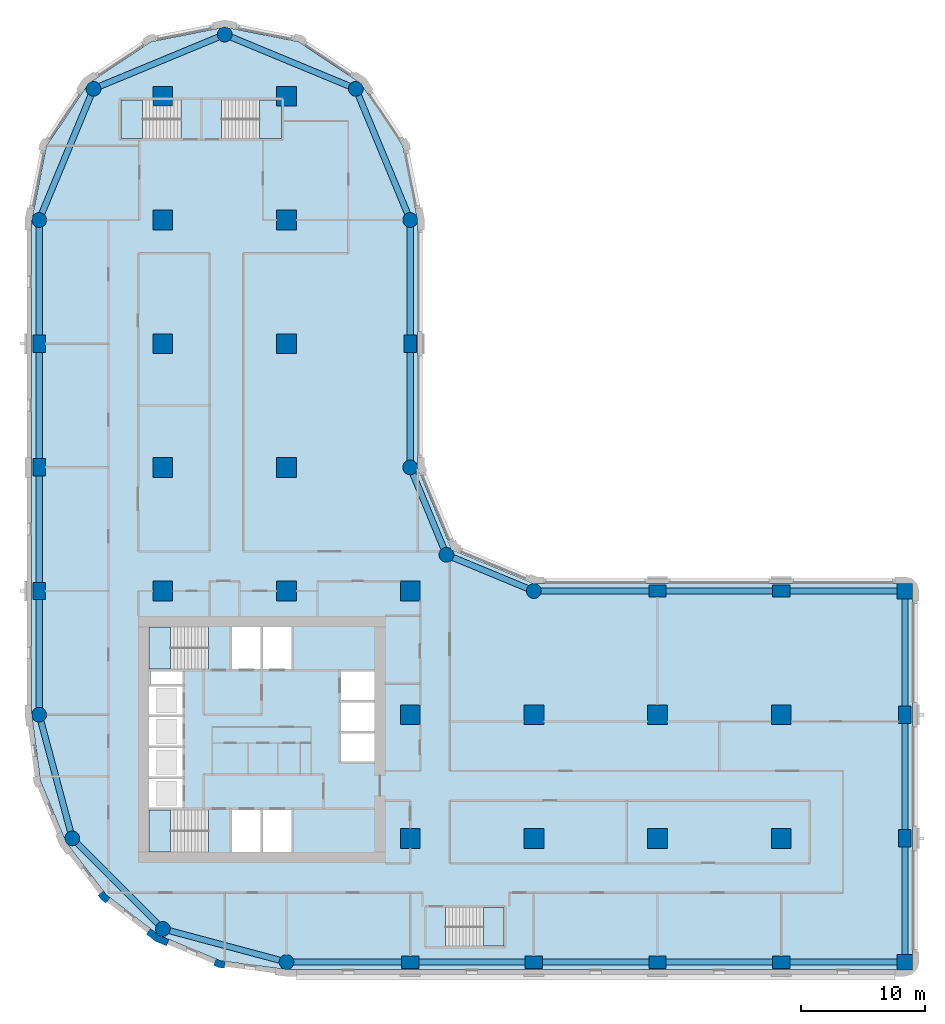
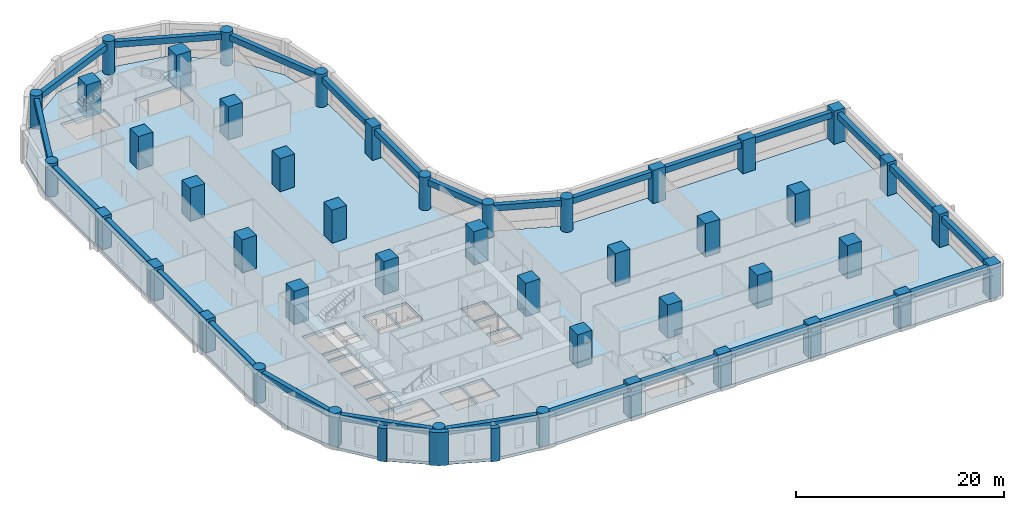
# One storey, part 1 of 11: 45 columns, 26 beams, 6 slabs, 3 walls, 5 elements without a shape of their own.
"""IFC4 building model written with IfcOpenShell, lengths in metres."""

from ifc_helpers import new_model, si_unit, direction, frame, origin, origin_2d, place, context, subcontext, project, spatial, polyline, rectangle, circle, outline, extrude, material, layer, layer_set, material_profile, profile_set, type_object, element, aggregate, save


model = new_model("IFC4")

# Units and contexts
model_context = context("Model", 3, precision=1e-05, world=origin(), true_north=direction((0.0, 1.0)))
body_context = subcontext(model_context, "Body", "Model", "MODEL_VIEW")
ifc_project = project(units=[si_unit("LENGTHUNIT", "METRE"), si_unit("AREAUNIT", "SQUARE_METRE"), si_unit("VOLUMEUNIT", "CUBIC_METRE"), si_unit("PLANEANGLEUNIT", "RADIAN"), si_unit("MASSUNIT", "GRAM", prefix="KILO")], contexts=[model_context])

# Site, building, storey
site_placement = place(None, origin())
site = spatial("IfcSite", under=ifc_project, at=site_placement, CompositionType="ELEMENT")
building_placement = place(site_placement, origin())
building = spatial("IfcBuilding", under=site, at=building_placement, Name="Qaws Garden Tower", CompositionType="ELEMENT")
storey_placement = place(building_placement, frame((0.0, 0.0, 31.5)))
storey = spatial("IfcBuildingStorey", under=building, at=storey_placement, Name="L07", CompositionType="ELEMENT", Elevation=31.5)

# Columns
ifc_material_1 = material(Name="Concrete C80", Category="concrete")
ifc_material_profile_1 = material_profile(ifc_material_1, rectangle(XDim=1.25, YDim=1.25, at=origin_2d()), Name="RC 1250x1250")
ifc_profile_set_1 = profile_set([ifc_material_profile_1], Name="Concrete C80")
column_type_1 = type_object("IfcColumnType", Name="Column RC 1250x1250 C80", PredefinedType="COLUMN", material=ifc_profile_set_1)
for number, where, z_axis, x_axis, name in (
    (1, (70.0, 0.0, 0.0), (0.0, 0.0, 1.0), (1.0, 0.0, 0.0), "Column L07-006"),
    (2, (70.0, 30.0, 0.0), (0.0, 0.0, 1.0), (1.0, 0.0, 0.0), "Column L07-009"),
):
    element("IfcColumn", number, at=place(storey_placement, frame(where, z_axis=z_axis, x_axis=x_axis)), inside=storey, type_object=column_type_1, Name=name, PredefinedType="COLUMN", context=body_context, shape_type="SweptSolid", body=[
        extrude(rectangle(XDim=1.25, YDim=1.25, at=origin_2d()), origin(), (0.0, 0.0, 1.0), 3.89990234375),
    ])
ifc_material_2 = material(Name="Concrete C80", Category="concrete")
ifc_material_profile_2 = material_profile(ifc_material_2, rectangle(XDim=1.39990234375, YDim=1.0, at=origin_2d()), Name="RC 1400x1000")
ifc_profile_set_2 = profile_set([ifc_material_profile_2], Name="Concrete C80")
column_type_2 = type_object("IfcColumnType", Name="Column RC 1400x1000 C80", PredefinedType="COLUMN", material=ifc_profile_set_2)
for number, where, z_axis, x_axis, name in (
    (3, (30.0, 0.0, 0.0), (0.0, 0.0, 1.0), (1.0, 0.0, 0.0), "Column L07-002"),
    (4, (40.0, 0.0, 0.0), (0.0, 0.0, 1.0), (1.0, 0.0, 0.0), "Column L07-003"),
    (5, (50.0, 0.0, 0.0), (0.0, 0.0, 1.0), (1.0, 0.0, 0.0), "Column L07-004"),
    (6, (60.0, 0.0, 0.0), (0.0, 0.0, 1.0), (1.0, 0.0, 0.0), "Column L07-005"),
    (7, (70.0, 10.0, 0.0), (0.0, 0.0, 1.0), (0.0, 1.0, 0.0), "Column L07-007"),
    (8, (70.0, 20.0, 0.0), (0.0, 0.0, 1.0), (0.0, 1.0, 0.0), "Column L07-008"),
    (9, (60.0, 30.0, 0.0), (0.0, 0.0, 1.0), (1.0, 0.0, 0.0), "Column L07-010"),
    (10, (50.0, 30.0, 0.0), (0.0, 0.0, 1.0), (1.0, 0.0, 0.0), "Column L07-011"),
    (11, (30.0, 50.0, 0.0), (0.0, 0.0, 1.0), (0.0, 1.0, 0.0), "Column L07-015"),
    (12, (0.0, 50.0, 0.0), (0.0, 0.0, 1.0), (0.0, 1.0, 0.0), "Column L07-021"),
    (13, (0.0, 40.0, 0.0), (0.0, 0.0, 1.0), (0.0, 1.0, 0.0), "Column L07-022"),
    (14, (0.0, 30.0, 0.0), (0.0, 0.0, 1.0), (0.0, 1.0, 0.0), "Column L07-023"),
):
    element("IfcColumn", number, at=place(storey_placement, frame(where, z_axis=z_axis, x_axis=x_axis)), inside=storey, type_object=column_type_2, Name=name, PredefinedType="COLUMN", context=body_context, shape_type="SweptSolid", body=[
        extrude(rectangle(XDim=1.39990234375, YDim=1.0, at=origin_2d()), origin(), (0.0, 0.0, 1.0), 3.89990234375),
    ])
ifc_material_3 = material(Name="Concrete C80", Category="concrete")
ifc_material_profile_3 = material_profile(ifc_material_3, rectangle(XDim=1.60009765625, YDim=1.60009765625, at=origin_2d()), Name="RC 1600x1600")
ifc_profile_set_3 = profile_set([ifc_material_profile_3], Name="Concrete C80")
column_type_3 = type_object("IfcColumnType", Name="Column RC 1600x1600 C80", PredefinedType="COLUMN", material=ifc_profile_set_3)
for number, where, z_axis, x_axis, name in (
    (15, (10.0, 30.0, 0.0), (0.0, 0.0, 1.0), (1.0, 0.0, 0.0), "Column L07-027"),
    (16, (10.0, 40.0, 0.0), (0.0, 0.0, 1.0), (1.0, 0.0, 0.0), "Column L07-028"),
    (17, (10.0, 50.0, 0.0), (0.0, 0.0, 1.0), (1.0, 0.0, 0.0), "Column L07-029"),
    (18, (10.0, 60.0, 0.0), (0.0, 0.0, 1.0), (1.0, 0.0, 0.0), "Column L07-030"),
    (19, (10.0, 70.0, 0.0), (0.0, 0.0, 1.0), (1.0, 0.0, 0.0), "Column L07-031"),
    (20, (20.0, 30.0, 0.0), (0.0, 0.0, 1.0), (1.0, 0.0, 0.0), "Column L07-032"),
    (21, (20.0, 40.0, 0.0), (0.0, 0.0, 1.0), (1.0, 0.0, 0.0), "Column L07-033"),
    (22, (20.0, 50.0, 0.0), (0.0, 0.0, 1.0), (1.0, 0.0, 0.0), "Column L07-034"),
    (23, (20.0, 60.0, 0.0), (0.0, 0.0, 1.0), (1.0, 0.0, 0.0), "Column L07-035"),
    (24, (20.0, 70.0, 0.0), (0.0, 0.0, 1.0), (1.0, 0.0, 0.0), "Column L07-036"),
    (25, (30.0, 10.0, 0.0), (0.0, 0.0, 1.0), (1.0, 0.0, 0.0), "Column L07-037"),
    (26, (30.0, 20.0, 0.0), (0.0, 0.0, 1.0), (1.0, 0.0, 0.0), "Column L07-038"),
    (27, (30.0, 30.0, 0.0), (0.0, 0.0, 1.0), (1.0, 0.0, 0.0), "Column L07-039"),
    (28, (40.0, 10.0, 0.0), (0.0, 0.0, 1.0), (1.0, 0.0, 0.0), "Column L07-040"),
    (29, (40.0, 20.0, 0.0), (0.0, 0.0, 1.0), (1.0, 0.0, 0.0), "Column L07-041"),
    (30, (50.0, 10.0, 0.0), (0.0, 0.0, 1.0), (1.0, 0.0, 0.0), "Column L07-042"),
    (31, (50.0, 20.0, 0.0), (0.0, 0.0, 1.0), (1.0, 0.0, 0.0), "Column L07-043"),
    (32, (60.0, 10.0, 0.0), (0.0, 0.0, 1.0), (1.0, 0.0, 0.0), "Column L07-044"),
    (33, (60.0, 20.0, 0.0), (0.0, 0.0, 1.0), (1.0, 0.0, 0.0), "Column L07-045"),
):
    element("IfcColumn", number, at=place(storey_placement, frame(where, z_axis=z_axis, x_axis=x_axis)), inside=storey, type_object=column_type_3, Name=name, PredefinedType="COLUMN", context=body_context, shape_type="SweptSolid", body=[
        extrude(rectangle(XDim=1.60009765625, YDim=1.60009765625, at=origin_2d()), origin(), (0.0, 0.0, 1.0), 3.89990234375),
    ])
ifc_material_4 = material(Name="Concrete C80", Category="concrete")
ifc_material_profile_4 = material_profile(ifc_material_4, circle(Radius=0.60009765625, at=origin_2d()), Name="RC D1200")
ifc_profile_set_4 = profile_set([ifc_material_profile_4], Name="Concrete C80")
column_type_4 = type_object("IfcColumnType", Name="Column RC D1200 C80", PredefinedType="COLUMN", material=ifc_profile_set_4)
for number, where, z_axis, x_axis, name in (
    (34, (20.0, 0.0, 0.0), (0.0, 0.0, 1.0), (1.0, 0.0, 0.0), "Column L07-001"),
    (35, (40.0, 30.0, 0.0), (0.0, 0.0, 1.0), (1.0, 0.0, 0.0), "Column L07-012"),
    (36, (32.928955078125, 32.928955078125, 0.0), (0.0, 0.0, 1.0), (1.0, 0.0, 0.0), "Column L07-013"),
    (37, (30.0, 40.0, 0.0), (0.0, 0.0, 1.0), (1.0, 0.0, 0.0), "Column L07-014"),
    (38, (30.0, 60.0, 0.0), (0.0, 0.0, 1.0), (1.0, 0.0, 0.0), "Column L07-016"),
    (39, (25.606689453125, 70.606689453125, 0.0), (0.0, 0.0, 1.0), (1.0, 0.0, 0.0), "Column L07-017"),
    (40, (15.0, 75.0, 0.0), (0.0, 0.0, 1.0), (1.0, 0.0, 0.0), "Column L07-018"),
    (41, (4.393310546875, 70.606689453125, 0.0), (0.0, 0.0, 1.0), (1.0, 0.0, 0.0), "Column L07-019"),
    (42, (0.0, 60.0, 0.0), (0.0, 0.0, 1.0), (1.0, 0.0, 0.0), "Column L07-020"),
    (43, (0.0, 20.0, 0.0), (0.0, 0.0, 1.0), (1.0, 0.0, 0.0), "Column L07-024"),
    (44, (2.679443359375, 10.0, 0.0), (0.0, 0.0, 1.0), (1.0, 0.0, 0.0), "Column L07-025"),
    (45, (10.0, 2.679443359375, 0.0), (0.0, 0.0, 1.0), (1.0, 0.0, 0.0), "Column L07-026"),
):
    element("IfcColumn", number, at=place(storey_placement, frame(where, z_axis=z_axis, x_axis=x_axis)), inside=storey, type_object=column_type_4, Name=name, PredefinedType="COLUMN", context=body_context, shape_type="SweptSolid", body=[
        extrude(circle(Radius=0.60009765625, at=origin_2d()), origin(), (0.0, 0.0, 1.0), 3.89990234375),
    ])

# Beams
ifc_material_5 = material(Name="Concrete C45", Category="concrete")
ifc_material_profile_5 = material_profile(ifc_material_5, rectangle(XDim=0.5, YDim=0.699951171875, at=origin_2d()), Name="RC 500x700")
ifc_profile_set_5 = profile_set([ifc_material_profile_5], Name="Concrete C45")
beam_type = type_object("IfcBeamType", Name="Spandrel beam RC 500x700 C45", PredefinedType="SPANDREL", material=ifc_profile_set_5)
for number, where, z_axis, x_axis, name in (
    (46, (20.0, 0.0, 3.22998046875), (1.0, 0.0, 0.0), (0.0, 1.0, 0.0), "Spandrel beam L07-001"),
    (47, (30.0, 0.0, 3.22998046875), (1.0, 0.0, 0.0), (0.0, 1.0, 0.0), "Spandrel beam L07-002"),
    (48, (40.0, 0.0, 3.22998046875), (1.0, 0.0, 0.0), (0.0, 1.0, 0.0), "Spandrel beam L07-003"),
    (49, (50.0, 0.0, 3.22998046875), (1.0, 0.0, 0.0), (0.0, 1.0, 0.0), "Spandrel beam L07-004"),
    (50, (60.0, 0.0, 3.22998046875), (1.0, 0.0, 0.0), (0.0, 1.0, 0.0), "Spandrel beam L07-005"),
    (51, (70.0, 0.0, 3.22998046875), (0.0, 1.0, 0.0), (-1.0, 0.0, 0.0), "Spandrel beam L07-006"),
    (52, (70.0, 10.0, 3.22998046875), (0.0, 1.0, 0.0), (-1.0, 0.0, 0.0), "Spandrel beam L07-007"),
    (53, (70.0, 20.0, 3.22998046875), (0.0, 1.0, 0.0), (-1.0, 0.0, 0.0), "Spandrel beam L07-008"),
    (54, (70.0, 30.0, 3.22998046875), (-1.0, 0.0, 0.0), (0.0, -1.0, 0.0), "Spandrel beam L07-009"),
    (55, (60.0, 30.0, 3.22998046875), (-1.0, 0.0, 0.0), (0.0, -1.0, 0.0), "Spandrel beam L07-010"),
    (56, (50.0, 30.0, 3.22998046875), (-1.0, 0.0, 0.0), (0.0, -1.0, 0.0), "Spandrel beam L07-011"),
):
    element("IfcBeam", number, at=place(storey_placement, frame(where, z_axis=z_axis, x_axis=x_axis)), inside=storey, type_object=beam_type, Name=name, PredefinedType="SPANDREL", context=body_context, shape_type="SweptSolid", body=[
        extrude(rectangle(XDim=0.5, YDim=0.699951171875, at=origin_2d()), origin(), (0.0, 0.0, 1.0), 10.0),
    ])
for number, where, z_axis, x_axis, name in (
    (57, (40.0, 30.0, 3.22998046875), (-0.923878037141, 0.382687042488, 0.0), (-0.382687042488, -0.923878037141, 0.0), "Spandrel beam L07-012"),
    (58, (32.928955078125, 32.928955078125, 3.22998046875), (-0.382687042488, 0.923878037141, 0.0), (-0.923878037141, -0.382687042488, 0.0), "Spandrel beam L07-013"),
):
    element("IfcBeam", number, at=place(storey_placement, frame(where, z_axis=z_axis, x_axis=x_axis)), inside=storey, type_object=beam_type, Name=name, PredefinedType="SPANDREL", context=body_context, shape_type="SweptSolid", body=[
        extrude(rectangle(XDim=0.5, YDim=0.699951171875, at=origin_2d()), origin(), (0.0, 0.0, 1.0), 7.653564453125),
    ])
for number, where, z_axis, x_axis, name in (
    (59, (30.0, 40.0, 3.22998046875), (0.0, 1.0, 0.0), (-1.0, 0.0, 0.0), "Spandrel beam L07-014"),
    (60, (30.0, 50.0, 3.22998046875), (0.0, 1.0, 0.0), (-1.0, 0.0, 0.0), "Spandrel beam L07-015"),
):
    element("IfcBeam", number, at=place(storey_placement, frame(where, z_axis=z_axis, x_axis=x_axis)), inside=storey, type_object=beam_type, Name=name, PredefinedType="SPANDREL", context=body_context, shape_type="SweptSolid", body=[
        extrude(rectangle(XDim=0.5, YDim=0.699951171875, at=origin_2d()), origin(), (0.0, 0.0, 1.0), 10.0),
    ])
for number, where, z_axis, x_axis, name in (
    (61, (30.0, 60.0, 3.22998046875), (-0.382674207535, 0.923883353507, 0.0), (-0.923883353507, -0.382674207535, 0.0), "Spandrel beam L07-016"),
    (62, (25.606689453125, 70.606689453125, 3.22998046875), (-0.923883353507, 0.382674207535, 0.0), (-0.382674207535, -0.923883353507, 0.0), "Spandrel beam L07-017"),
    (63, (15.0, 75.0, 3.22998046875), (-0.923883353507, -0.382674207535, 0.0), (0.382674207535, -0.923883353507, 0.0), "Spandrel beam L07-018"),
    (64, (4.393310546875, 70.606689453125, 3.22998046875), (-0.382674207535, -0.923883353507, 0.0), (0.923883353507, -0.382674207535, 0.0), "Spandrel beam L07-019"),
):
    element("IfcBeam", number, at=place(storey_placement, frame(where, z_axis=z_axis, x_axis=x_axis)), inside=storey, type_object=beam_type, Name=name, PredefinedType="SPANDREL", context=body_context, shape_type="SweptSolid", body=[
        extrude(rectangle(XDim=0.5, YDim=0.699951171875, at=origin_2d()), origin(), (0.0, 0.0, 1.0), 11.48046875),
    ])
for number, where, z_axis, x_axis, name in (
    (65, (0.0, 60.0, 3.22998046875), (0.0, -1.0, 0.0), (1.0, 0.0, 0.0), "Spandrel beam L07-020"),
    (66, (0.0, 50.0, 3.22998046875), (0.0, -1.0, 0.0), (1.0, 0.0, 0.0), "Spandrel beam L07-021"),
    (67, (0.0, 40.0, 3.22998046875), (0.0, -1.0, 0.0), (1.0, 0.0, 0.0), "Spandrel beam L07-022"),
    (68, (0.0, 30.0, 3.22998046875), (0.0, -1.0, 0.0), (1.0, 0.0, 0.0), "Spandrel beam L07-023"),
):
    element("IfcBeam", number, at=place(storey_placement, frame(where, z_axis=z_axis, x_axis=x_axis)), inside=storey, type_object=beam_type, Name=name, PredefinedType="SPANDREL", context=body_context, shape_type="SweptSolid", body=[
        extrude(rectangle(XDim=0.5, YDim=0.699951171875, at=origin_2d()), origin(), (0.0, 0.0, 1.0), 10.0),
    ])
for number, where, z_axis, x_axis, name in (
    (69, (0.0, 20.0, 3.22998046875), (0.25881466832, -0.965926999034, 0.0), (0.965926999034, 0.25881466832, 0.0), "Spandrel beam L07-024"),
    (70, (2.679443359375, 10.0, 3.22998046875), (0.707106781187, -0.707106781187, 0.0), (0.707106781187, 0.707106781187, 0.0), "Spandrel beam L07-025"),
    (71, (10.0, 2.679443359375, 3.22998046875), (0.965926999034, -0.25881466832, 0.0), (0.25881466832, 0.965926999034, 0.0), "Spandrel beam L07-026"),
):
    element("IfcBeam", number, at=place(storey_placement, frame(where, z_axis=z_axis, x_axis=x_axis)), inside=storey, type_object=beam_type, Name=name, PredefinedType="SPANDREL", context=body_context, shape_type="SweptSolid", body=[
        extrude(rectangle(XDim=0.5, YDim=0.699951171875, at=origin_2d()), origin(), (0.0, 0.0, 1.0), 10.352783203125),
    ])

# Slab
ifc_material_6 = material(Name="Concrete C40", Category="concrete")
ifc_layer_1 = layer(ifc_material_6, 0.320068359375)
ifc_layer_set_1 = layer_set([ifc_layer_1], Name="Concrete C40")
slab_type_1 = type_object("IfcSlabType", Name="Floor slab 320 C40", PredefinedType="FLOOR", material=ifc_layer_set_1)
slab_1_placement = place(storey_placement, frame((0.0, 0.0, -0.320068359375)))
element("IfcSlab", 72, at=slab_1_placement, inside=storey, type_object=slab_type_1, Name="Floor slab L07", PredefinedType="FLOOR", context=body_context, shape_type="SweptSolid", body=[
    extrude(outline(polyline([(0.101806640625, 14.668212890625), (-0.60009765625, 20.0), (-0.60009765625, 30.60009765625), (-0.60009765625, 60.0), (-0.60009765625, 60.0), (0.58740234375, 65.969970703125), (3.968994140625, 71.031005859375), (9.030029296875, 74.41259765625), (15.0, 75.60009765625), (20.969970703125, 74.41259765625), (26.031005859375, 71.031005859375), (29.41259765625, 65.969970703125), (30.60009765625, 60.0), (30.60009765625, 40.0), (33.353271484375, 33.353271484375), (40.0, 30.60009765625), (70.0, 30.60009765625), (70.42431640625, 30.42431640625), (70.60009765625, 30.0), (70.60009765625, 0.0), (70.42431640625, -0.42431640625), (70.0, -0.60009765625), (30.60009765625, -0.60009765625), (20.0, -0.60009765625), (14.668212890625, 0.101806640625), (9.699951171875, 2.159912109375), (5.43359375, 5.43359375), (2.159912109375, 9.699951171875), (0.101806640625, 14.668212890625)]), holes=[polyline([(13.699462890625, 12.300048828125), (8.89990234375, 12.300048828125), (8.89990234375, 8.89990234375), (13.699462890625, 8.89990234375), (13.699462890625, 12.300048828125)]), polyline([(17.89990234375, 12.300048828125), (15.60009765625, 12.300048828125), (15.60009765625, 8.89990234375), (17.89990234375, 8.89990234375), (17.89990234375, 12.300048828125)]), polyline([(11.60009765625, 14.800048828125), (8.89990234375, 14.800048828125), (8.89990234375, 12.5), (11.60009765625, 12.5), (11.60009765625, 14.800048828125)]), polyline([(11.60009765625, 17.300048828125), (8.89990234375, 17.300048828125), (8.89990234375, 15.0), (11.60009765625, 15.0), (11.60009765625, 17.300048828125)]), polyline([(11.60009765625, 19.800048828125), (8.89990234375, 19.800048828125), (8.89990234375, 17.5), (11.60009765625, 17.5), (11.60009765625, 19.800048828125)]), polyline([(11.60009765625, 22.300048828125), (8.89990234375, 22.300048828125), (8.89990234375, 20.0), (11.60009765625, 20.0), (11.60009765625, 22.300048828125)]), polyline([(11.60009765625, 23.5), (9.0, 23.5), (9.0, 22.5), (11.60009765625, 22.5), (11.60009765625, 23.5)]), polyline([(13.699462890625, 27.10009765625), (8.89990234375, 27.10009765625), (8.89990234375, 23.699951171875), (13.699462890625, 23.699951171875), (13.699462890625, 27.10009765625)]), polyline([(11.449462890625, 69.699951171875), (6.60009765625, 69.699951171875), (6.60009765625, 66.60009765625), (11.449462890625, 66.60009765625), (11.449462890625, 69.699951171875)]), polyline([(37.60009765625, 4.39990234375), (32.8505859375, 4.39990234375), (32.8505859375, 1.300048828125), (37.60009765625, 1.300048828125), (37.60009765625, 4.39990234375)]), polyline([(20.39990234375, 12.300048828125), (18.10009765625, 12.300048828125), (18.10009765625, 8.89990234375), (20.39990234375, 8.89990234375), (20.39990234375, 12.300048828125)]), polyline([(27.10009765625, 18.5), (24.39990234375, 18.5), (24.39990234375, 16.199951171875), (27.10009765625, 16.199951171875), (27.10009765625, 18.5)]), polyline([(27.10009765625, 21.0), (24.39990234375, 21.0), (24.39990234375, 18.699951171875), (27.10009765625, 18.699951171875), (27.10009765625, 21.0)]), polyline([(27.10009765625, 23.5), (24.39990234375, 23.5), (24.39990234375, 21.199951171875), (27.10009765625, 21.199951171875), (27.10009765625, 23.5)]), polyline([(17.89990234375, 27.10009765625), (15.60009765625, 27.10009765625), (15.60009765625, 23.699951171875), (17.89990234375, 23.699951171875), (17.89990234375, 27.10009765625)]), polyline([(20.39990234375, 23.699951171875), (20.39990234375, 27.10009765625), (18.10009765625, 27.10009765625), (18.10009765625, 23.699951171875), (20.39990234375, 23.699951171875)]), polyline([(19.60009765625, 66.60009765625), (19.60009765625, 69.699951171875), (14.75048828125, 69.699951171875), (14.75048828125, 66.60009765625), (19.60009765625, 66.60009765625)])]), origin(), (0.0, 0.0, 1.0), 0.320068359375),
])

# Stair, slab
ifc_material_7 = material(Name="Concrete C40", Category="concrete")
stair_type_1 = type_object("IfcStairType", Name="Exit stair 1500", PredefinedType="HALF_TURN_STAIR", material=ifc_material_7)
placement_1 = place(storey_placement, origin())
stair_1 = element("IfcStair", 73, at=placement_1, inside=storey, type_object=stair_type_1, Name="Stair 1", PredefinedType="HALF_TURN_STAIR")
ifc_material_8 = material(Name="Concrete C40", Category="concrete")
ifc_layer_2 = layer(ifc_material_8, 0.199951171875)
ifc_layer_set_2 = layer_set([ifc_layer_2], Name="Concrete C40")
slab_type_2 = type_object("IfcSlabType", Name="Stair landing 200", PredefinedType="LANDING", material=ifc_layer_set_2)
placement_2 = place(storey_placement, frame((0.0, 0.0, 1.75)))
slab_2 = element("IfcSlab", 74, at=placement_2, type_object=slab_type_2, Name="ST1 landing 1", PredefinedType="LANDING", context=body_context, shape_type="SweptSolid", body=[
    extrude(outline(polyline([(8.89990234375, 8.89990234375), (10.6201171875, 8.89990234375), (10.6201171875, 12.300048828125), (8.89990234375, 12.300048828125), (8.89990234375, 8.89990234375)])), origin(), (0.0, 0.0, 1.0), 0.199951171875),
])
aggregate(stair_1, [slab_2])

stair_2 = element("IfcStair", 75, at=placement_1, inside=storey, type_object=stair_type_1, Name="Stair 4", PredefinedType="HALF_TURN_STAIR")
slab_3 = element("IfcSlab", 76, at=placement_2, type_object=slab_type_2, Name="ST4 landing 1", PredefinedType="LANDING", context=body_context, shape_type="SweptSolid", body=[
    extrude(outline(polyline([(8.89990234375, 23.699951171875), (10.6201171875, 23.699951171875), (10.6201171875, 27.10009765625), (8.89990234375, 27.10009765625), (8.89990234375, 23.699951171875)])), origin(), (0.0, 0.0, 1.0), 0.199951171875),
])
aggregate(stair_2, [slab_3])

ifc_material_9 = material(Name="Concrete C40", Category="concrete")
stair_type_2 = type_object("IfcStairType", Name="Exit stair 1350", PredefinedType="HALF_TURN_STAIR", material=ifc_material_9)
stair_3 = element("IfcStair", 77, at=placement_1, inside=storey, type_object=stair_type_2, Name="Stair 5", PredefinedType="HALF_TURN_STAIR")
slab_4 = element("IfcSlab", 78, at=placement_2, type_object=slab_type_2, Name="ST5 landing 1", PredefinedType="LANDING", context=body_context, shape_type="SweptSolid", body=[
    extrude(outline(polyline([(35.929931640625, 1.300048828125), (37.60009765625, 1.300048828125), (37.60009765625, 4.39990234375), (35.929931640625, 4.39990234375), (35.929931640625, 1.300048828125)])), origin(), (0.0, 0.0, 1.0), 0.199951171875),
])
aggregate(stair_3, [slab_4])

stair_4 = element("IfcStair", 79, at=placement_1, inside=storey, type_object=stair_type_2, Name="Stair 6", PredefinedType="HALF_TURN_STAIR")
slab_5 = element("IfcSlab", 80, at=placement_2, type_object=slab_type_2, Name="ST6 landing 1", PredefinedType="LANDING", context=body_context, shape_type="SweptSolid", body=[
    extrude(outline(polyline([(6.60009765625, 66.60009765625), (8.3701171875, 66.60009765625), (8.3701171875, 69.699951171875), (6.60009765625, 69.699951171875), (6.60009765625, 66.60009765625)])), origin(), (0.0, 0.0, 1.0), 0.199951171875),
])
aggregate(stair_4, [slab_5])

stair_5 = element("IfcStair", 81, at=placement_1, inside=storey, type_object=stair_type_2, Name="Stair 7", PredefinedType="HALF_TURN_STAIR")
slab_6 = element("IfcSlab", 82, at=placement_2, type_object=slab_type_2, Name="ST7 landing 1", PredefinedType="LANDING", context=body_context, shape_type="SweptSolid", body=[
    extrude(outline(polyline([(17.830078125, 66.60009765625), (19.60009765625, 66.60009765625), (19.60009765625, 69.699951171875), (17.830078125, 69.699951171875), (17.830078125, 66.60009765625)])), origin(), (0.0, 0.0, 1.0), 0.199951171875),
])
aggregate(stair_5, [slab_6])

# Walls
ifc_material_10 = material(Name="Clay facing brick masonry", Category="masonry")
ifc_layer_3 = layer(ifc_material_10, 0.550048828125)
ifc_layer_set_3 = layer_set([ifc_layer_3], Name="Clay facing brick masonry")
wall_type_1 = type_object("IfcWallType", Name="Brick kink pier 550 x 600", PredefinedType="SOLIDWALL", material=ifc_layer_set_3)
element("IfcWall", 83, at=placement_1, inside=storey, type_object=wall_type_1, Name="E-L07-pier-30", PredefinedType="SOLIDWALL", context=body_context, shape_type="SweptSolid", body=[
    extrude(outline(polyline([(4.8818359375, 5.487060546875), (4.762939453125, 5.395751953125), (5.03759765625, 5.03759765625), (5.395751953125, 4.762939453125), (5.487060546875, 4.8818359375), (5.730712890625, 5.19921875), (5.429931640625, 5.429931640625), (5.19921875, 5.730712890625), (4.8818359375, 5.487060546875)])), origin(), (0.0, 0.0, 1.0), 3.89990234375),
])
element("IfcWall", 84, at=placement_1, inside=storey, type_object=wall_type_1, Name="E-L07-pier-32", PredefinedType="SOLIDWALL", context=body_context, shape_type="SweptSolid", body=[
    extrude(outline(polyline([(14.163818359375, -0.127685546875), (14.1064453125, -0.26611328125), (14.5234375, -0.43896484375), (14.970947265625, -0.497802734375), (14.990478515625, -0.34912109375), (15.042724609375, 0.04736328125), (14.6669921875, 0.096923828125), (14.31689453125, 0.241943359375), (14.163818359375, -0.127685546875)])), origin(), (0.0, 0.0, 1.0), 3.89990234375),
])
ifc_material_11 = material(Name="Clay facing brick masonry", Category="masonry")
ifc_layer_4 = layer(ifc_material_11, 0.550048828125)
ifc_layer_set_4 = layer_set([ifc_layer_4], Name="Clay facing brick masonry")
wall_type_2 = type_object("IfcWallType", Name="Brick pier 550 x 1600", PredefinedType="SOLIDWALL", material=ifc_layer_set_4)
element("IfcWall", 85, at=placement_1, inside=storey, type_object=wall_type_2, Name="E-L07-pier-31", PredefinedType="SOLIDWALL", context=body_context, shape_type="SweptSolid", body=[
    extrude(outline(polyline([(8.756591796875, 2.373046875), (8.665283203125, 2.254150390625), (9.419921875, 1.675048828125), (10.299072265625, 1.310791015625), (10.3564453125, 1.449462890625), (10.509521484375, 1.819091796875), (9.697509765625, 2.1552734375), (9.0, 2.6904296875), (8.756591796875, 2.373046875)])), origin(), (0.0, 0.0, 1.0), 3.89990234375),
])

save(model, "model.ifc")
